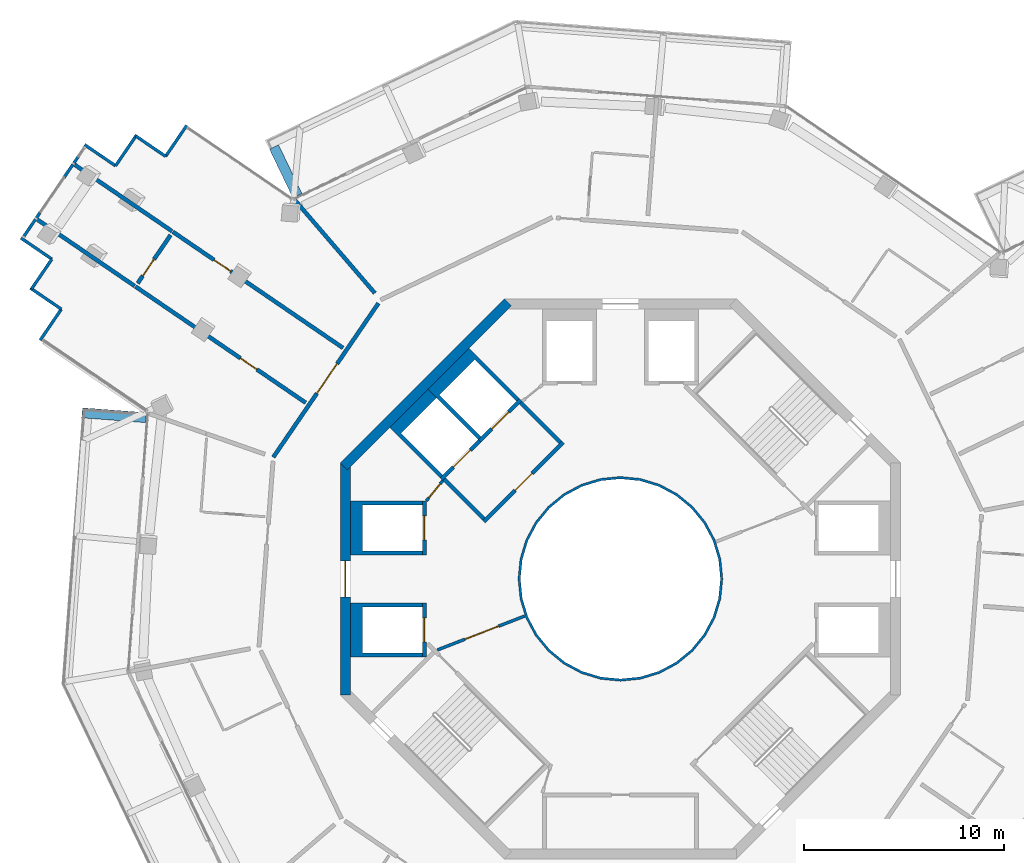
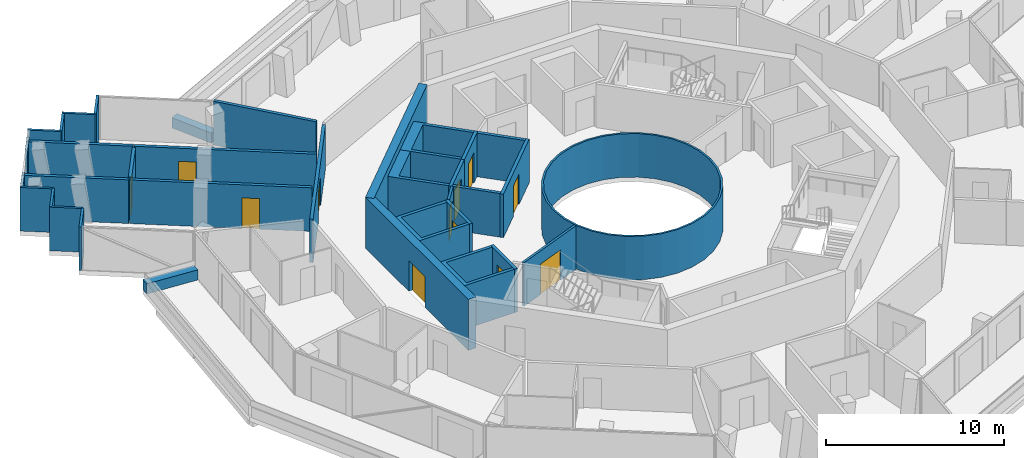
# One storey, part 17 of 23: 37 walls, 12 doors, 12 openings.
"""IFC4 building model written with IfcOpenShell, lengths in metres."""

from ifc_helpers import new_model, si_unit, direction, frame, frame_2d, origin, place, context, subcontext, project, spatial, polyline, rectangle, outline, extrude, material, layer, layer_set, type_object, element, fill, save


model = new_model("IFC4")

# Units and contexts
model_context = context("Model", 3, precision=1e-05, world=origin(), true_north=direction((0.0, 1.0)))
body_context = subcontext(model_context, "Body", "Model", "MODEL_VIEW")
ifc_project = project(units=[si_unit("LENGTHUNIT", "METRE"), si_unit("AREAUNIT", "SQUARE_METRE"), si_unit("VOLUMEUNIT", "CUBIC_METRE"), si_unit("PLANEANGLEUNIT", "RADIAN"), si_unit("MASSUNIT", "GRAM", prefix="KILO")], contexts=[model_context])

# Site, building, storey
site_placement = place(None, origin())
site = spatial("IfcSite", under=ifc_project, at=site_placement, CompositionType="ELEMENT")
building_placement = place(site_placement, origin())
building = spatial("IfcBuilding", under=site, at=building_placement, Name="Verdalira Terraces Hotel", CompositionType="ELEMENT")
storey_placement = place(building_placement, frame((0.0, 0.0, 259.5)))
storey = spatial("IfcBuildingStorey", under=building, at=storey_placement, Name="L64", CompositionType="ELEMENT", Elevation=259.5)

# Walls
ifc_material_1 = material(Name="Fire-resisting glass EI 180", Category="glass")
ifc_layer_1 = layer(ifc_material_1, 0.1201171875)
ifc_layer_set_1 = layer_set([ifc_layer_1], Name="Atrium fire screen 120 mm")
wall_type_1 = type_object("IfcWallType", Name="Atrium fire screen 120 mm", PredefinedType="SOLIDWALL", material=ifc_layer_set_1)
wall_1_placement = place(storey_placement, origin())
element("IfcWall", 1, at=wall_1_placement, inside=storey, type_object=wall_type_1, Name="Atrium fire screen", PredefinedType="SOLIDWALL", context=body_context, shape_type="SweptSolid", body=[
    extrude(outline(polyline([(5.021484, -0.998779), (4.730225, -1.959229), (4.25708, -2.844482), (3.620361, -3.620361), (2.844482, -4.25708), (1.959229, -4.730225), (0.998779, -5.021484), (0.0, -5.120117), (-0.998779, -5.021484), (-1.959229, -4.730225), (-2.844482, -4.25708), (-3.620361, -3.620361), (-4.25708, -2.844482), (-4.730225, -1.959229), (-5.021484, -0.998779), (-5.120117, 0.0), (-5.021484, 0.998779), (-4.730225, 1.959229), (-4.25708, 2.844482), (-3.620361, 3.620361), (-2.844482, 4.25708), (-1.959229, 4.730225), (-0.998779, 5.021484), (0.0, 5.120117), (0.998779, 5.021484), (1.959229, 4.730225), (2.844482, 4.25708), (3.620361, 3.620361), (4.25708, 2.844482), (4.730225, 1.959229), (5.021484, 0.998779), (5.120117, 0.0), (5.021484, -0.998779)]), holes=[polyline([(4.903809, 0.975586), (4.619385, 1.91333), (4.157227, 2.777832), (3.5354, 3.5354), (2.777832, 4.157227), (1.91333, 4.619385), (0.975586, 4.903809), (0.0, 5.0), (-0.975586, 4.903809), (-1.91333, 4.619385), (-2.777832, 4.157227), (-3.5354, 3.5354), (-4.157227, 2.777832), (-4.619385, 1.91333), (-4.903809, 0.975586), (-5.0, 0.0), (-4.903809, -0.975586), (-4.619385, -1.91333), (-4.157227, -2.777832), (-3.5354, -3.5354), (-2.777832, -4.157227), (-1.91333, -4.619385), (-0.975586, -4.903809), (0.0, -5.0), (0.975586, -4.903809), (1.91333, -4.619385), (2.777832, -4.157227), (3.5354, -3.5354), (4.157227, -2.777832), (4.619385, -1.91333), (4.903809, -0.975586), (5.0, 0.0), (4.903809, 0.975586)])]), origin(), (0.0, 0.0, 1.0), 3.0),
])
ifc_material_2 = material(Name="Concrete C40", Category="concrete")
ifc_layer_2 = layer(ifc_material_2, 0.5)
ifc_layer_set_2 = layer_set([ifc_layer_2], Name="Balcony planter trough with tree")
wall_type_2 = type_object("IfcWallType", Name="Balcony planter trough with tree", PredefinedType="SOLIDWALL", material=ifc_layer_set_2)
wall_2_placement = place(storey_placement, frame((-23.719727, 8.05957, 0.0), z_axis=(0.0, 0.0, 1.0), x_axis=(-0.997158606, 0.075330696, 0.0)))
element("IfcWall", 2, at=wall_2_placement, inside=storey, type_object=wall_type_2, Name="Balcony planter", PredefinedType="SOLIDWALL", context=body_context, shape_type="SweptSolid", body=[
    extrude(rectangle(XDim=3.19873, YDim=0.5, at=frame_2d((1.599365, 0.0))), origin(), (0.0, 0.0, 1.0), 0.699951),
])
wall_3_placement = place(storey_placement, frame((-17.314941, 21.587158, 0.0), z_axis=(0.0, 0.0, 1.0), x_axis=(0.433374971, -0.901213701, 0.0)))
element("IfcWall", 3, at=wall_3_placement, inside=storey, type_object=wall_type_2, Name="Balcony planter", PredefinedType="SOLIDWALL", context=body_context, shape_type="SweptSolid", body=[
    extrude(rectangle(XDim=2.698975, YDim=0.5, at=frame_2d((1.349609, 0.0))), origin(), (0.0, 0.0, 1.0), 0.699951),
])
ifc_material_3 = material(Name="Concrete C50", Category="concrete")
ifc_layer_3 = layer(ifc_material_3, 0.199951171875)
ifc_layer_set_3 = layer_set([ifc_layer_3], Name="Core RC wall 200 C50")
wall_type_3 = type_object("IfcWallType", Name="Core RC wall 200 C50", PredefinedType="SOLIDWALL", material=ifc_layer_set_3)
wall_4_placement = place(storey_placement, origin())
element("IfcWall", 4, at=wall_4_placement, inside=storey, type_object=wall_type_3, Name="L64 shaft wall W1", PredefinedType="SOLIDWALL", context=body_context, shape_type="SweptSolid", body=[
    extrude(outline(polyline([(-13.5, 3.899902), (-9.899902, 3.899902), (-9.899902, 3.699951), (-12.899902, 3.699951), (-12.899902, 1.399902), (-9.899902, 1.399902), (-9.899902, 1.199951), (-13.5, 1.199951), (-13.5, 3.899902)])), origin(), (0.0, 0.0, 1.0), 3.0),
])

# Wall, opening, door
wall_5_placement = place(storey_placement, frame((-9.800049, 1.199951, 0.0), z_axis=(0.0, 0.0, 1.0), x_axis=(0.0, 1.0, 0.0)))
wall_5 = element("IfcWall", 5, at=wall_5_placement, inside=storey, type_object=wall_type_3, Name="L64 shaft front wall W1", PredefinedType="SOLIDWALL", context=body_context, shape_type="SweptSolid", body=[
    extrude(rectangle(XDim=2.699951, YDim=0.199951, at=frame_2d((1.350098, 0.0))), origin(), (0.0, 0.0, 1.0), 3.0),
])
opening_1_placement = place(wall_5_placement, frame((0.75, 0.0, 0.0)))
opening_1 = element("IfcOpeningElement", 6, at=opening_1_placement, cuts=wall_5, Name="Opening LD-L64-806", PredefinedType="OPENING", context=body_context, shape_type="SweptSolid", body=[
    extrude(rectangle(XDim=1.199951, YDim=2.100098, at=frame_2d((0.600098, 1.050049))), frame((0.0, 0.109863, 0.0), z_axis=(0.0, -1.0, 0.0), x_axis=(1.0, 0.0, 0.0)), (0.0, 0.0, 1.0), 0.219971),
])
ifc_material_4 = material(Name="Stainless steel", Category="steel")
door_type_1 = type_object("IfcDoorType", Name="Landing door 1200 x 2100", OperationType="NOTDEFINED", PredefinedType="DOOR", material=ifc_material_4)
door_1_placement = place(opening_1_placement, origin())
door_1 = element("IfcDoor", 7, at=door_1_placement, inside=storey, type_object=door_type_1, Name="Lift landing door HR5 L64", OperationType="DOUBLE_DOOR_SLIDING", OverallHeight=2.10009765625, OverallWidth=1.199951171875, PredefinedType="DOOR", context=body_context, shape_type="SweptSolid", body=[
    extrude(rectangle(XDim=1.199951, YDim=2.100098, at=frame_2d((0.600098, 1.050049))), frame((0.0, 0.024902, 0.0), z_axis=(0.0, -1.0, 0.0), x_axis=(1.0, 0.0, 0.0)), (0.0, 0.0, 1.0), 0.050049),
])
fill(opening_1, door_1)

# Wall
wall_6_placement = place(storey_placement, origin())
element("IfcWall", 8, at=wall_6_placement, inside=storey, type_object=wall_type_3, Name="L64 shaft wall W2", PredefinedType="SOLIDWALL", context=body_context, shape_type="SweptSolid", body=[
    extrude(outline(polyline([(-13.5, -3.899902), (-13.5, -1.199951), (-9.899902, -1.199951), (-9.899902, -1.399902), (-12.899902, -1.399902), (-12.899902, -3.699951), (-9.899902, -3.699951), (-9.899902, -3.899902), (-13.5, -3.899902)])), origin(), (0.0, 0.0, 1.0), 3.0),
])

# Wall, opening, door
wall_7_placement = place(storey_placement, frame((-9.800049, -1.199951, 0.0), z_axis=(0.0, 0.0, 1.0), x_axis=(0.0, -1.0, 0.0)))
wall_7 = element("IfcWall", 9, at=wall_7_placement, inside=storey, type_object=wall_type_3, Name="L64 shaft front wall W2", PredefinedType="SOLIDWALL", context=body_context, shape_type="SweptSolid", body=[
    extrude(rectangle(XDim=2.699951, YDim=0.199951, at=frame_2d((1.350098, 0.0))), origin(), (0.0, 0.0, 1.0), 3.0),
])
opening_2_placement = place(wall_7_placement, frame((0.75, 0.0, 0.0)))
opening_2 = element("IfcOpeningElement", 10, at=opening_2_placement, cuts=wall_7, Name="Opening LD-L64-807", PredefinedType="OPENING", context=body_context, shape_type="SweptSolid", body=[
    extrude(rectangle(XDim=1.199951, YDim=2.100098, at=frame_2d((0.600098, 1.050049))), frame((0.0, 0.109863, 0.0), z_axis=(0.0, -1.0, 0.0), x_axis=(1.0, 0.0, 0.0)), (0.0, 0.0, 1.0), 0.219971),
])
door_2_placement = place(opening_2_placement, origin())
door_2 = element("IfcDoor", 11, at=door_2_placement, inside=storey, type_object=door_type_1, Name="Lift landing door HR6 L64", OperationType="DOUBLE_DOOR_SLIDING", OverallHeight=2.10009765625, OverallWidth=1.199951171875, PredefinedType="DOOR", context=body_context, shape_type="SweptSolid", body=[
    extrude(rectangle(XDim=1.199951, YDim=2.100098, at=frame_2d((0.600098, 1.050049))), frame((0.0, 0.024902, 0.0), z_axis=(0.0, -1.0, 0.0), x_axis=(1.0, 0.0, 0.0)), (0.0, 0.0, 1.0), 0.050049),
])
fill(opening_2, door_2)

# Wall
wall_8_placement = place(storey_placement, origin())
element("IfcWall", 12, at=wall_8_placement, inside=storey, type_object=wall_type_3, Name="L64 shaft wall F1", PredefinedType="SOLIDWALL", context=body_context, shape_type="SweptSolid", body=[
    extrude(outline(polyline([(-9.616699, 9.475098), (-7.565918, 11.525879), (-5.055908, 9.015625), (-5.197266, 8.874268), (-7.283203, 10.960205), (-9.051025, 9.192383), (-6.965088, 7.106445), (-7.106445, 6.965088), (-9.616699, 9.475098)])), origin(), (0.0, 0.0, 1.0), 3.0),
])

# Wall, opening, door
wall_9_placement = place(storey_placement, frame((-4.985107, 8.944824, 0.0), z_axis=(0.0, 0.0, 1.0), x_axis=(-0.707106781, -0.707106781, 0.0)))
wall_9 = element("IfcWall", 13, at=wall_9_placement, inside=storey, type_object=wall_type_3, Name="L64 shaft front wall F1", PredefinedType="SOLIDWALL", context=body_context, shape_type="SweptSolid", body=[
    extrude(rectangle(XDim=2.899902, YDim=0.199951, at=frame_2d((1.449951, 0.0))), origin(), (0.0, 0.0, 1.0), 3.0),
])
opening_3_placement = place(wall_9_placement, frame((0.850098, 0.0, 0.0)))
opening_3 = element("IfcOpeningElement", 14, at=opening_3_placement, cuts=wall_9, Name="Opening LD-L64-808", PredefinedType="OPENING", context=body_context, shape_type="SweptSolid", body=[
    extrude(rectangle(XDim=1.199951, YDim=2.100098, at=frame_2d((0.600098, 1.050049))), frame((0.0, 0.109863, 0.0), z_axis=(0.0, -1.0, 0.0), x_axis=(1.0, 0.0, 0.0)), (0.0, 0.0, 1.0), 0.219971),
])
door_3_placement = place(opening_3_placement, origin())
door_3 = element("IfcDoor", 15, at=door_3_placement, inside=storey, type_object=door_type_1, Name="Lift landing door LF11 L64", OperationType="DOUBLE_DOOR_SLIDING", OverallHeight=2.10009765625, OverallWidth=1.199951171875, PredefinedType="DOOR", context=body_context, shape_type="SweptSolid", body=[
    extrude(rectangle(XDim=1.199951, YDim=2.100098, at=frame_2d((0.600098, 1.050049))), frame((0.0, 0.024902, 0.0), z_axis=(0.0, -1.0, 0.0), x_axis=(1.0, 0.0, 0.0)), (0.0, 0.0, 1.0), 0.050049),
])
fill(opening_3, door_3)

# Wall
wall_10_placement = place(storey_placement, origin())
element("IfcWall", 16, at=wall_10_placement, inside=storey, type_object=wall_type_3, Name="L64 shaft wall F2", PredefinedType="SOLIDWALL", context=body_context, shape_type="SweptSolid", body=[
    extrude(outline(polyline([(-11.525879, 7.565918), (-9.616699, 9.475098), (-9.192383, 9.051025), (-10.960205, 7.283203), (-8.874268, 5.197266), (-9.015625, 5.055908), (-11.525879, 7.565918)])), origin(), (0.0, 0.0, 1.0), 3.0),
])

# Wall, opening, door
wall_11_placement = place(storey_placement, frame((-7.035645, 6.894287, 0.0), z_axis=(0.0, 0.0, 1.0), x_axis=(-0.707106781, -0.707106781, 0.0)))
wall_11 = element("IfcWall", 17, at=wall_11_placement, inside=storey, type_object=wall_type_3, Name="L64 shaft front wall F2", PredefinedType="SOLIDWALL", context=body_context, shape_type="SweptSolid", body=[
    extrude(rectangle(XDim=2.699951, YDim=0.199951, at=frame_2d((1.350098, 0.0))), origin(), (0.0, 0.0, 1.0), 3.0),
])
opening_4_placement = place(wall_11_placement, frame((0.649902, 0.0, 0.0)))
opening_4 = element("IfcOpeningElement", 18, at=opening_4_placement, cuts=wall_11, Name="Opening LD-L64-809", PredefinedType="OPENING", context=body_context, shape_type="SweptSolid", body=[
    extrude(rectangle(XDim=1.199951, YDim=2.100098, at=frame_2d((0.600098, 1.050049))), frame((0.0, 0.109863, 0.0), z_axis=(0.0, -1.0, 0.0), x_axis=(1.0, 0.0, 0.0)), (0.0, 0.0, 1.0), 0.219971),
])
door_4_placement = place(opening_4_placement, origin())
door_4 = element("IfcDoor", 19, at=door_4_placement, inside=storey, type_object=door_type_1, Name="Lift landing door LF12 L64", OperationType="DOUBLE_DOOR_SLIDING", OverallHeight=2.10009765625, OverallWidth=1.199951171875, PredefinedType="DOOR", context=body_context, shape_type="SweptSolid", body=[
    extrude(rectangle(XDim=1.199951, YDim=2.100098, at=frame_2d((0.600098, 1.050049))), frame((0.0, 0.024902, 0.0), z_axis=(0.0, -1.0, 0.0), x_axis=(1.0, 0.0, 0.0)), (0.0, 0.0, 1.0), 0.050049),
])
fill(opening_4, door_4)

wall_12_placement = place(storey_placement, frame((-2.86377, 6.823486, 0.0), z_axis=(0.0, 0.0, 1.0), x_axis=(-0.707106781, -0.707106781, 0.0)))
wall_12 = element("IfcWall", 20, at=wall_12_placement, inside=storey, type_object=wall_type_3, Name="L64 fire lobby wall", PredefinedType="SOLIDWALL", context=body_context, shape_type="SweptSolid", body=[
    extrude(rectangle(XDim=5.599854, YDim=0.199951, at=frame_2d((2.799805, 0.0))), origin(), (0.0, 0.0, 1.0), 3.0),
])
opening_5_placement = place(wall_12_placement, frame((2.199951, 0.0, 0.0)))
opening_5 = element("IfcOpeningElement", 21, at=opening_5_placement, cuts=wall_12, Name="Opening L64-819", PredefinedType="OPENING", context=body_context, shape_type="SweptSolid", body=[
    extrude(rectangle(XDim=1.199951, YDim=2.100098, at=frame_2d((0.600098, 1.050049))), frame((0.0, 0.109863, 0.0), z_axis=(0.0, -1.0, 0.0), x_axis=(1.0, 0.0, 0.0)), (0.0, 0.0, 1.0), 0.219971),
])
ifc_material_5 = material(Name="Steel fire door", Category="steel")
door_type_2 = type_object("IfcDoorType", Name="Lobby door 1200 x 2100", OperationType="NOTDEFINED", PredefinedType="DOOR", material=ifc_material_5)
door_5_placement = place(opening_5_placement, origin())
door_5 = element("IfcDoor", 22, at=door_5_placement, inside=storey, type_object=door_type_2, Name="Fire lobby door L64", OperationType="SINGLE_SWING_LEFT", OverallHeight=2.10009765625, OverallWidth=1.199951171875, PredefinedType="DOOR", context=body_context, shape_type="SweptSolid", body=[
    extrude(rectangle(XDim=1.199951, YDim=2.100098, at=frame_2d((0.600098, 1.050049))), frame((0.0, 0.024902, 0.0), z_axis=(0.0, -1.0, 0.0), x_axis=(1.0, 0.0, 0.0)), (0.0, 0.0, 1.0), 0.050049),
])
fill(opening_5, door_5)

# Walls
for number, where, z_axis, x_axis, name in (
    (23, (-3.005127, 6.823486, 0.0), (0.0, 0.0, 1.0), (-0.707106781, 0.707106781, 0.0), "L64 fire lobby wall"),
    (24, (-6.823486, 3.005127, 0.0), (0.0, 0.0, 1.0), (-0.707106781, 0.707106781, 0.0), "L64 fire lobby wall"),
):
    element("IfcWall", number, at=place(storey_placement, frame(where, z_axis=z_axis, x_axis=x_axis)), inside=storey, type_object=wall_type_3, Name=name, PredefinedType="SOLIDWALL", context=body_context, shape_type="SweptSolid", body=[
        extrude(rectangle(XDim=2.800049, YDim=0.199951, at=frame_2d((1.399902, 0.0))), origin(), (0.0, 0.0, 1.0), 3.0),
    ])

# Wall, opening, door
ifc_material_6 = material(Name="Gypsum board partition")
ifc_layer_4 = layer(ifc_material_6, 0.14990234375)
ifc_layer_set_4 = layer_set([ifc_layer_4], Name="Core partition 150 mm")
wall_type_4 = type_object("IfcWallType", Name="Core partition 150 mm", PredefinedType="PARTITIONING", material=ifc_layer_set_4)
wall_13_placement = place(storey_placement, frame((-8.874268, 4.914307, 0.0), z_axis=(0.0, 0.0, 1.0), x_axis=(-0.631274009, -0.775559878, 0.0)))
wall_13 = element("IfcWall", 25, at=wall_13_placement, inside=storey, type_object=wall_type_4, Name="Room partition L64", PredefinedType="PARTITIONING", context=body_context, shape_type="SweptSolid", body=[
    extrude(rectangle(XDim=1.307861, YDim=0.149902, at=frame_2d((0.653809, 0.0))), origin(), (0.0, 0.0, 1.0), 3.0),
])
opening_6_placement = place(wall_13_placement, frame((0.204102, 0.0, 0.0)))
opening_6 = element("IfcOpeningElement", 26, at=opening_6_placement, cuts=wall_13, Name="Opening L64-821", PredefinedType="OPENING", context=body_context, shape_type="SweptSolid", body=[
    extrude(rectangle(XDim=0.899902, YDim=2.100098, at=frame_2d((0.449951, 1.050049))), frame((0.0, 0.084961, 0.0), z_axis=(0.0, -1.0, 0.0), x_axis=(1.0, 0.0, 0.0)), (0.0, 0.0, 1.0), 0.169922),
])
ifc_material_7 = material(Name="Steel fire door", Category="steel")
door_type_3 = type_object("IfcDoorType", Name="Core room door 900 x 2100", OperationType="NOTDEFINED", PredefinedType="DOOR", material=ifc_material_7)
door_6_placement = place(opening_6_placement, origin())
door_6 = element("IfcDoor", 27, at=door_6_placement, inside=storey, type_object=door_type_3, Name="Door L64 room3", OperationType="SINGLE_SWING_LEFT", OverallHeight=2.10009765625, OverallWidth=0.89990234375, PredefinedType="DOOR", context=body_context, shape_type="SweptSolid", body=[
    extrude(rectangle(XDim=0.899902, YDim=2.100098, at=frame_2d((0.449951, 1.050049))), frame((0.0, 0.024902, 0.0), z_axis=(0.0, -1.0, 0.0), x_axis=(1.0, 0.0, 0.0)), (0.0, 0.0, 1.0), 0.050049),
])
fill(opening_6, door_6)

wall_14_placement = place(storey_placement, frame((-4.781982, -1.857178, 0.0), z_axis=(0.0, 0.0, 1.0), x_axis=(-0.932155279, -0.362058746, 0.0)))
wall_14 = element("IfcWall", 28, at=wall_14_placement, inside=storey, type_object=wall_type_4, Name="Gallery fire partition L64", PredefinedType="PARTITIONING", context=body_context, shape_type="SweptSolid", body=[
    extrude(rectangle(XDim=4.682373, YDim=0.149902, at=frame_2d((2.341309, 0.0))), origin(), (0.0, 0.0, 1.0), 3.0),
])
opening_7_placement = place(wall_14_placement, frame((1.399902, 0.0, 0.0)))
opening_7 = element("IfcOpeningElement", 29, at=opening_7_placement, cuts=wall_14, Name="Opening L64-824", PredefinedType="OPENING", context=body_context, shape_type="SweptSolid", body=[
    extrude(rectangle(XDim=1.800049, YDim=2.100098, at=frame_2d((0.899902, 1.050049))), frame((0.0, 0.084961, 0.0), z_axis=(0.0, -1.0, 0.0), x_axis=(1.0, 0.0, 0.0)), (0.0, 0.0, 1.0), 0.169922),
])
ifc_material_8 = material(Name="Steel fire door", Category="steel")
door_type_4 = type_object("IfcDoorType", Name="Gallery fire door pair 1800 x 2100", OperationType="NOTDEFINED", PredefinedType="DOOR", material=ifc_material_8)
door_7_placement = place(opening_7_placement, origin())
door_7 = element("IfcDoor", 30, at=door_7_placement, inside=storey, type_object=door_type_4, Name="Door L64 split4", OperationType="DOUBLE_DOOR_SINGLE_SWING", OverallHeight=2.10009765625, OverallWidth=1.800048828125, PredefinedType="DOOR", context=body_context, shape_type="SweptSolid", body=[
    extrude(rectangle(XDim=1.800049, YDim=2.100098, at=frame_2d((0.899902, 1.050049))), frame((0.0, 0.024902, 0.0), z_axis=(0.0, -1.0, 0.0), x_axis=(1.0, 0.0, 0.0)), (0.0, 0.0, 1.0), 0.050049),
])
fill(opening_7, door_7)

# Wall
ifc_material_9 = material(Name="Concrete C50", Category="concrete")
ifc_layer_5 = layer(ifc_material_9, 0.5)
ifc_layer_set_5 = layer_set([ifc_layer_5], Name="Core wall 500 C50")
wall_type_5 = type_object("IfcWallType", Name="Core wall 500 C50", PredefinedType="SHEAR", material=ifc_layer_set_5)
wall_15_placement = place(storey_placement, frame((-5.622314, 13.823242, 0.0), z_axis=(0.0, 0.0, 1.0), x_axis=(-0.707106781, -0.707106781, 0.0)))
element("IfcWall", 31, at=wall_15_placement, inside=storey, type_object=wall_type_5, Name="Core wall CW-L64-4", PredefinedType="SHEAR", context=body_context, shape_type="SweptSolid", body=[
    extrude(rectangle(XDim=11.5979, YDim=0.5, at=frame_2d((5.798828, 0.0))), origin(), (0.0, 0.0, 1.0), 3.5),
])

# Wall, opening, door
wall_16_placement = place(storey_placement, frame((-13.75, 5.799072, 0.0), z_axis=(0.0, 0.0, 1.0), x_axis=(0.0, -1.0, 0.0)))
wall_16 = element("IfcWall", 32, at=wall_16_placement, inside=storey, type_object=wall_type_5, Name="Core wall CW-L64-5", PredefinedType="SHEAR", context=body_context, shape_type="SweptSolid", body=[
    extrude(rectangle(XDim=11.598145, YDim=0.5, at=frame_2d((5.799072, 0.0))), origin(), (0.0, 0.0, 1.0), 3.5),
])
opening_8_placement = place(wall_16_placement, frame((4.898926, 0.0, 0.0)))
opening_8 = element("IfcOpeningElement", 33, at=opening_8_placement, cuts=wall_16, Name="Opening L64-815", PredefinedType="OPENING", context=body_context, shape_type="SweptSolid", body=[
    extrude(rectangle(XDim=1.800049, YDim=2.100098, at=frame_2d((0.899902, 1.050049))), frame((0.0, 0.26001, 0.0), z_axis=(0.0, -1.0, 0.0), x_axis=(1.0, 0.0, 0.0)), (0.0, 0.0, 1.0), 0.52002),
])
ifc_material_10 = material(Name="Steel fire door", Category="steel")
door_type_5 = type_object("IfcDoorType", Name="Core entry door pair 1800 x 2100", OperationType="NOTDEFINED", PredefinedType="DOOR", material=ifc_material_10)
door_8_placement = place(opening_8_placement, origin())
door_8 = element("IfcDoor", 34, at=door_8_placement, inside=storey, type_object=door_type_5, Name="Core entry door L64 4", OperationType="DOUBLE_DOOR_SINGLE_SWING", OverallHeight=2.10009765625, OverallWidth=1.800048828125, PredefinedType="DOOR", context=body_context, shape_type="SweptSolid", body=[
    extrude(rectangle(XDim=1.800049, YDim=2.100098, at=frame_2d((0.899902, 1.050049))), frame((0.0, 0.024902, 0.0), z_axis=(0.0, -1.0, 0.0), x_axis=(1.0, 0.0, 0.0)), (0.0, 0.0, 1.0), 0.050049),
])
fill(opening_8, door_8)

# Walls
ifc_material_11 = material(Name="Fire-rated gypsum board wall")
ifc_layer_6 = layer(ifc_material_11, 0.199951171875)
ifc_layer_set_6 = layer_set([ifc_layer_6], Name="Demising wall 200 mm")
wall_type_6 = type_object("IfcWallType", Name="Demising wall 200 mm", PredefinedType="SOLIDWALL", material=ifc_layer_set_6)
for number, where, z_axis, x_axis, name in (
    (35, (-29.154297, 17.966309, 0.0), (0.0, 0.0, 1.0), (0.825922662, -0.56378343, 0.0), "Demising wall"),
    (36, (-22.410889, 17.376465, 0.0), (0.0, 0.0, 1.0), (-0.825922662, 0.56378343, 0.0), "Demising wall"),
):
    element("IfcWall", number, at=place(storey_placement, frame(where, z_axis=z_axis, x_axis=x_axis)), inside=storey, type_object=wall_type_6, Name=name, PredefinedType="SOLIDWALL", context=body_context, shape_type="SweptSolid", body=[
        extrude(rectangle(XDim=5.901855, YDim=0.199951, at=frame_2d((2.950928, 0.0))), origin(), (0.0, 0.0, 1.0), 3.0),
    ])

# Wall, opening, door
wall_17_placement = place(storey_placement, frame((-24.127441, 14.776855, 0.0), z_axis=(0.0, 0.0, 1.0), x_axis=(0.563809776, 0.825904678, 0.0)))
wall_17 = element("IfcWall", 37, at=wall_17_placement, inside=storey, type_object=wall_type_6, Name="Demising wall", PredefinedType="SOLIDWALL", context=body_context, shape_type="SweptSolid", body=[
    extrude(rectangle(XDim=2.914551, YDim=0.199951, at=frame_2d((1.457275, 0.0))), origin(), (0.0, 0.0, 1.0), 3.0),
])
opening_9_placement = place(wall_17_placement, frame((0.449951, 0.0, 0.0)))
opening_9 = element("IfcOpeningElement", 38, at=opening_9_placement, cuts=wall_17, Name="Opening L64-104", PredefinedType="OPENING", context=body_context, shape_type="SweptSolid", body=[
    extrude(rectangle(XDim=1.0, YDim=2.100098, at=frame_2d((0.5, 1.050049))), frame((0.0, 0.109863, 0.0), z_axis=(0.0, -1.0, 0.0), x_axis=(1.0, 0.0, 0.0)), (0.0, 0.0, 1.0), 0.219971),
])
ifc_material_12 = material(Name="Timber fire door", Category="wood")
door_type_6 = type_object("IfcDoorType", Name="Public room door 1000 x 2100", OperationType="NOTDEFINED", PredefinedType="DOOR", material=ifc_material_12)
door_9_placement = place(opening_9_placement, origin())
door_9 = element("IfcDoor", 39, at=door_9_placement, inside=storey, type_object=door_type_6, Name="Public room door 6401", OperationType="SINGLE_SWING_LEFT", OverallHeight=2.10009765625, OverallWidth=1.0, PredefinedType="DOOR", context=body_context, shape_type="SweptSolid", body=[
    extrude(rectangle(XDim=1.0, YDim=2.100098, at=frame_2d((0.5, 1.050049))), frame((0.0, 0.024902, 0.0), z_axis=(0.0, -1.0, 0.0), x_axis=(1.0, 0.0, 0.0)), (0.0, 0.0, 1.0), 0.050049),
])
fill(opening_9, door_9)

wall_18_placement = place(storey_placement, frame((-15.733398, 8.804443, 0.0), z_axis=(0.0, 0.0, 1.0), x_axis=(-0.825907835, 0.563805151, 0.0)))
wall_18 = element("IfcWall", 40, at=wall_18_placement, inside=storey, type_object=wall_type_6, Name="Demising wall", PredefinedType="SOLIDWALL", context=body_context, shape_type="SweptSolid", body=[
    extrude(rectangle(XDim=10.302002, YDim=0.199951, at=frame_2d((5.150879, 0.0))), origin(), (0.0, 0.0, 1.0), 3.0),
])
opening_10_placement = place(wall_18_placement, frame((2.949951, 0.0, 0.0)))
opening_10 = element("IfcOpeningElement", 41, at=opening_10_placement, cuts=wall_18, Name="Opening L64-103", PredefinedType="OPENING", context=body_context, shape_type="SweptSolid", body=[
    extrude(rectangle(XDim=1.0, YDim=2.100098, at=frame_2d((0.5, 1.050049))), frame((0.0, 0.109863, 0.0), z_axis=(0.0, -1.0, 0.0), x_axis=(1.0, 0.0, 0.0)), (0.0, 0.0, 1.0), 0.219971),
])
door_10_placement = place(opening_10_placement, origin())
door_10 = element("IfcDoor", 42, at=door_10_placement, inside=storey, type_object=door_type_6, Name="Public room door 6401", OperationType="SINGLE_SWING_LEFT", OverallHeight=2.10009765625, OverallWidth=1.0, PredefinedType="DOOR", context=body_context, shape_type="SweptSolid", body=[
    extrude(rectangle(XDim=1.0, YDim=2.100098, at=frame_2d((0.5, 1.050049))), frame((0.0, 0.024902, 0.0), z_axis=(0.0, -1.0, 0.0), x_axis=(1.0, 0.0, 0.0)), (0.0, 0.0, 1.0), 0.050049),
])
fill(opening_10, door_10)

wall_19_placement = place(storey_placement, frame((-22.373047, 17.350586, 0.0), z_axis=(0.0, 0.0, 1.0), x_axis=(0.8258968, -0.563821315, 0.0)))
wall_19 = element("IfcWall", 43, at=wall_19_placement, inside=storey, type_object=wall_type_6, Name="Demising wall", PredefinedType="SOLIDWALL", context=body_context, shape_type="SweptSolid", body=[
    extrude(rectangle(XDim=10.302246, YDim=0.199951, at=frame_2d((5.151123, 0.0))), origin(), (0.0, 0.0, 1.0), 3.0),
])
opening_11_placement = place(wall_19_placement, frame((2.5, 0.0, 0.0)))
opening_11 = element("IfcOpeningElement", 44, at=opening_11_placement, cuts=wall_19, Name="Opening L64-102", PredefinedType="OPENING", context=body_context, shape_type="SweptSolid", body=[
    extrude(rectangle(XDim=1.0, YDim=2.100098, at=frame_2d((0.5, 1.050049))), frame((0.0, 0.109863, 0.0), z_axis=(0.0, -1.0, 0.0), x_axis=(1.0, 0.0, 0.0)), (0.0, 0.0, 1.0), 0.219971),
])
door_11_placement = place(opening_11_placement, origin())
door_11 = element("IfcDoor", 45, at=door_11_placement, inside=storey, type_object=door_type_6, Name="Public room door 6401", OperationType="SINGLE_SWING_LEFT", OverallHeight=2.10009765625, OverallWidth=1.0, PredefinedType="DOOR", context=body_context, shape_type="SweptSolid", body=[
    extrude(rectangle(XDim=1.0, YDim=2.100098, at=frame_2d((0.5, 1.050049))), frame((0.0, 0.024902, 0.0), z_axis=(0.0, -1.0, 0.0), x_axis=(1.0, 0.0, 0.0)), (0.0, 0.0, 1.0), 0.050049),
])
fill(opening_11, door_11)

# Wall
wall_20_placement = place(storey_placement, frame((-16.272461, 18.931885, 0.0), z_axis=(0.0, 0.0, 1.0), x_axis=(0.651826856, -0.75836782, 0.0)))
element("IfcWall", 46, at=wall_20_placement, inside=storey, type_object=wall_type_6, Name="Demising wall", PredefinedType="SOLIDWALL", context=body_context, shape_type="SweptSolid", body=[
    extrude(rectangle(XDim=6.13208, YDim=0.199951, at=frame_2d((3.065918, 0.0))), origin(), (0.0, 0.0, 1.0), 3.0),
])

# Wall, opening, door
ifc_material_13 = material(Name="Fire-rated gypsum board wall")
ifc_layer_7 = layer(ifc_material_13, 0.199951171875)
ifc_layer_set_7 = layer_set([ifc_layer_7], Name="Guest corridor wall 200 mm")
wall_type_7 = type_object("IfcWallType", Name="Guest corridor wall 200 mm", PredefinedType="SOLIDWALL", material=ifc_layer_set_7)
wall_21_placement = place(storey_placement, frame((-17.349365, 6.08252, 0.0), z_axis=(0.0, 0.0, 1.0), x_axis=(0.563804288, 0.825908424, 0.0)))
wall_21 = element("IfcWall", 47, at=wall_21_placement, inside=storey, type_object=wall_type_7, Name="Guest corridor wall", PredefinedType="SOLIDWALL", context=body_context, shape_type="SweptSolid", body=[
    extrude(rectangle(XDim=9.316406, YDim=0.199951, at=frame_2d((4.658203, 0.0))), origin(), (0.0, 0.0, 1.0), 3.0),
])
opening_12_placement = place(wall_21_placement, frame((3.859131, 0.0, 0.0)))
opening_12 = element("IfcOpeningElement", 48, at=opening_12_placement, cuts=wall_21, Name="Opening L64-101", PredefinedType="OPENING", context=body_context, shape_type="SweptSolid", body=[
    extrude(rectangle(XDim=1.800049, YDim=2.100098, at=frame_2d((0.899902, 1.050049))), frame((0.0, 0.109863, 0.0), z_axis=(0.0, -1.0, 0.0), x_axis=(1.0, 0.0, 0.0)), (0.0, 0.0, 1.0), 0.219971),
])
ifc_material_14 = material(Name="Timber fire door", Category="wood")
door_type_7 = type_object("IfcDoorType", Name="Public room double door 1800 x 2100", OperationType="NOTDEFINED", PredefinedType="DOOR", material=ifc_material_14)
door_12_placement = place(opening_12_placement, origin())
door_12 = element("IfcDoor", 49, at=door_12_placement, inside=storey, type_object=door_type_7, Name="Public room double door 6401", OperationType="DOUBLE_DOOR_SINGLE_SWING", OverallHeight=2.10009765625, OverallWidth=1.800048828125, PredefinedType="DOOR", context=body_context, shape_type="SweptSolid", body=[
    extrude(rectangle(XDim=1.800049, YDim=2.100098, at=frame_2d((0.899902, 1.050049))), frame((0.0, 0.024902, 0.0), z_axis=(0.0, -1.0, 0.0), x_axis=(1.0, 0.0, 0.0)), (0.0, 0.0, 1.0), 0.050049),
])
fill(opening_12, door_12)

# Walls
ifc_material_15 = material(Name="Terracotta cladding", Category="masonry")
ifc_layer_8 = layer(ifc_material_15, 0.14990234375)
ifc_layer_set_8 = layer_set([ifc_layer_8], Name="Terracotta clad wall 150")
wall_type_8 = type_object("IfcWallType", Name="Terracotta clad wall 150", PredefinedType="SOLIDWALL", material=ifc_layer_set_8)
wall_22_placement = place(storey_placement, frame((-21.676514, 22.667969, 0.0), z_axis=(0.0, 0.0, 1.0), x_axis=(-0.563801371, -0.825910415, 0.0)))
element("IfcWall", 50, at=wall_22_placement, inside=storey, type_object=wall_type_8, Name="Terracotta cladding wall", PredefinedType="SOLIDWALL", context=body_context, shape_type="SweptSolid", body=[
    extrude(rectangle(XDim=1.875, YDim=0.149902, at=frame_2d((0.9375, 0.0))), origin(), (0.0, 0.0, 1.0), 3.0),
])
wall_23_placement = place(storey_placement, frame((-22.733643, 21.119385, 0.0), z_axis=(0.0, 0.0, 1.0), x_axis=(-0.82588571, 0.563837559, 0.0)))
element("IfcWall", 51, at=wall_23_placement, inside=storey, type_object=wall_type_8, Name="Terracotta cladding wall", PredefinedType="SOLIDWALL", context=body_context, shape_type="SweptSolid", body=[
    extrude(rectangle(XDim=1.800049, YDim=0.149902, at=frame_2d((0.899902, 0.0))), origin(), (0.0, 0.0, 1.0), 3.0),
])
for number, where, z_axis, x_axis, name in (
    (52, (-24.177979, 22.196289, 0.0), (0.0, 0.0, 1.0), (-0.563801371, -0.825910415, 0.0), "Terracotta cladding wall"),
    (53, (-25.235107, 20.647705, 0.0), (0.0, 0.0, 1.0), (-0.825910415, 0.563801371, 0.0), "Terracotta cladding wall"),
    (54, (-29.969238, 17.03833, 0.0), (0.0, 0.0, 1.0), (0.825910415, -0.563801371, 0.0), "Terracotta cladding wall"),
):
    element("IfcWall", number, at=place(storey_placement, frame(where, z_axis=z_axis, x_axis=x_axis)), inside=storey, type_object=wall_type_8, Name=name, PredefinedType="SOLIDWALL", context=body_context, shape_type="SweptSolid", body=[
        extrude(rectangle(XDim=1.875, YDim=0.149902, at=frame_2d((0.9375, 0.0))), origin(), (0.0, 0.0, 1.0), 3.0),
    ])
wall_24_placement = place(storey_placement, frame((-28.420654, 15.981201, 0.0), z_axis=(0.0, 0.0, 1.0), x_axis=(-0.563837559, -0.82588571, 0.0)))
element("IfcWall", 55, at=wall_24_placement, inside=storey, type_object=wall_type_8, Name="Terracotta cladding wall", PredefinedType="SOLIDWALL", context=body_context, shape_type="SweptSolid", body=[
    extrude(rectangle(XDim=1.800049, YDim=0.149902, at=frame_2d((0.899902, 0.0))), origin(), (0.0, 0.0, 1.0), 3.0),
])
for number, where, z_axis, x_axis, name in (
    (56, (-29.497559, 14.536865, 0.0), (0.0, 0.0, 1.0), (0.825910415, -0.563801371, 0.0), "Terracotta cladding wall"),
    (57, (-27.948975, 13.479736, 0.0), (0.0, 0.0, 1.0), (-0.563801371, -0.825910415, 0.0), "Terracotta cladding wall"),
):
    element("IfcWall", number, at=place(storey_placement, frame(where, z_axis=z_axis, x_axis=x_axis)), inside=storey, type_object=wall_type_8, Name=name, PredefinedType="SOLIDWALL", context=body_context, shape_type="SweptSolid", body=[
        extrude(rectangle(XDim=1.875, YDim=0.149902, at=frame_2d((0.9375, 0.0))), origin(), (0.0, 0.0, 1.0), 3.0),
    ])
ifc_material_16 = material(Name="Terracotta cladding", Category="masonry")
ifc_layer_9 = layer(ifc_material_16, 0.14990234375)
ifc_layer_set_9 = layer_set([ifc_layer_9], Name="Terracotta column pier 150")
wall_type_9 = type_object("IfcWallType", Name="Terracotta column pier 150", PredefinedType="SOLIDWALL", material=ifc_layer_set_9)
wall_25_placement = place(storey_placement, frame((-27.09668, 21.113281, 0.0), z_axis=(0.0, 0.0, 1.0), x_axis=(-0.563861228, -0.825869551, 0.0)))
element("IfcWall", 58, at=wall_25_placement, inside=storey, type_object=wall_type_9, Name="Terracotta column pier", PredefinedType="SOLIDWALL", context=body_context, shape_type="SweptSolid", body=[
    extrude(rectangle(XDim=0.404297, YDim=0.149902, at=frame_2d((0.202148, 0.0))), origin(), (0.0, 0.0, 1.0), 2.935059),
])
wall_26_placement = place(storey_placement, frame((-27.369873, 20.713135, 0.0), z_axis=(0.0, 0.0, 1.0), x_axis=(-0.563895629, -0.825846063, 0.0)))
element("IfcWall", 59, at=wall_26_placement, inside=storey, type_object=wall_type_9, Name="Terracotta column pier", PredefinedType="SOLIDWALL", context=body_context, shape_type="SweptSolid", body=[
    extrude(rectangle(XDim=0.799561, YDim=0.149902, at=frame_2d((0.399902, 0.0))), origin(), (0.0, 0.0, 1.0), 2.935059),
])
wall_27_placement = place(storey_placement, frame((-29.024414, 18.289307, 0.0), z_axis=(0.0, 0.0, 1.0), x_axis=(-0.563866908, -0.825865673, 0.0)))
element("IfcWall", 60, at=wall_27_placement, inside=storey, type_object=wall_type_9, Name="Terracotta column pier", PredefinedType="SOLIDWALL", context=body_context, shape_type="SweptSolid", body=[
    extrude(rectangle(XDim=0.300049, YDim=0.149902, at=frame_2d((0.149902, 0.0))), origin(), (0.0, 0.0, 1.0), 2.935059),
])
wall_28_placement = place(storey_placement, frame((-29.23877, 17.975586, 0.0), z_axis=(0.0, 0.0, 1.0), x_axis=(-0.563741, -0.825951624, 0.0)))
element("IfcWall", 61, at=wall_28_placement, inside=storey, type_object=wall_type_9, Name="Terracotta column pier", PredefinedType="SOLIDWALL", context=body_context, shape_type="SweptSolid", body=[
    extrude(rectangle(XDim=1.030762, YDim=0.149902, at=frame_2d((0.515381, 0.0))), origin(), (0.0, 0.0, 1.0), 2.935059),
])

save(model, "model.ifc")
